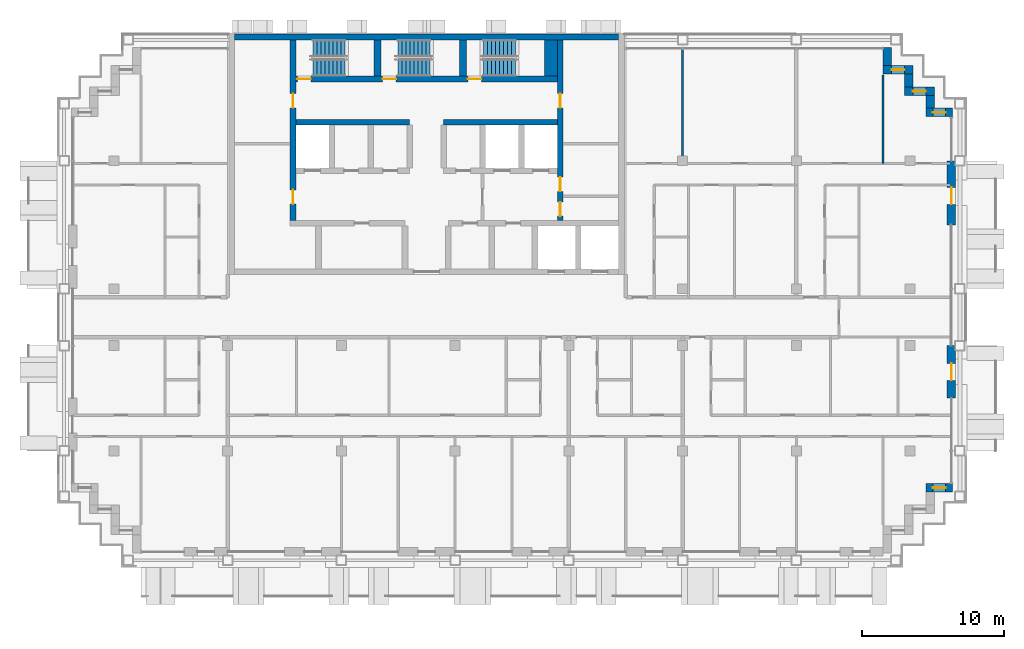
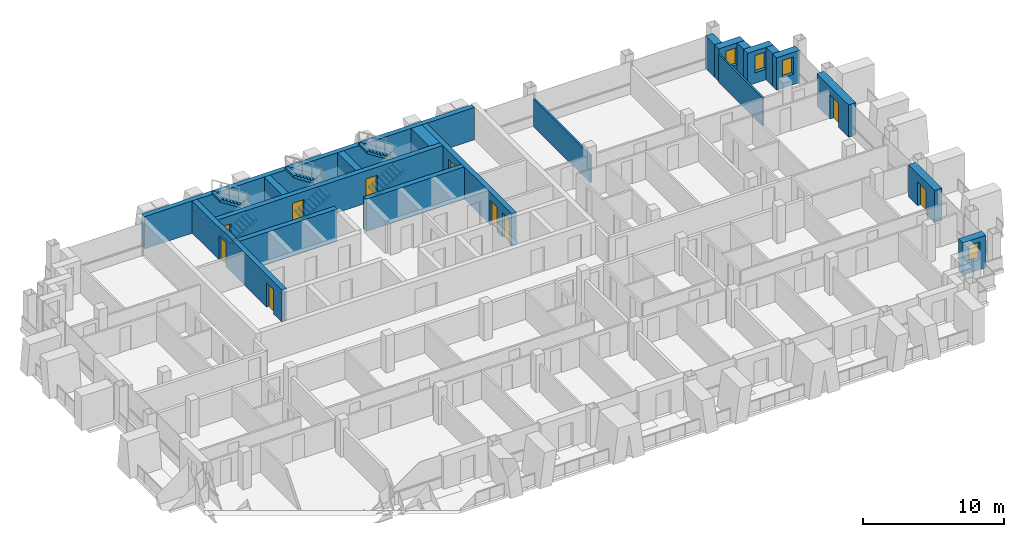
# One storey, part 12 of 16: 20 walls, 10 doors, 6 stair flights, 4 windows, 14 openings, 3 elements without a shape of their own.
"""IFC4 building model written with IfcOpenShell, lengths in metres."""

from ifc_helpers import new_model, si_unit, direction, frame, frame_2d, origin, place, context, subcontext, project, spatial, polyline, rectangle, outline, extrude, material, layer, layer_set, type_object, element, fill, aggregate, save


model = new_model("IFC4")

# Units and contexts
model_context = context("Model", 3, precision=1e-05, world=origin(), true_north=direction((0.0, 1.0)))
body_context = subcontext(model_context, "Body", "Model", "MODEL_VIEW")
ifc_project = project(units=[si_unit("LENGTHUNIT", "METRE"), si_unit("AREAUNIT", "SQUARE_METRE"), si_unit("VOLUMEUNIT", "CUBIC_METRE"), si_unit("PLANEANGLEUNIT", "RADIAN"), si_unit("MASSUNIT", "GRAM", prefix="KILO")], contexts=[model_context])

# Site, building, storey
site_placement = place(None, origin())
site = spatial("IfcSite", under=ifc_project, at=site_placement, CompositionType="ELEMENT")
building_placement = place(site_placement, origin())
building = spatial("IfcBuilding", under=site, at=building_placement, Name="Vidyagriha Tower", CompositionType="ELEMENT")
storey_placement = place(building_placement, frame((0.0, 0.0, 190.89990234375)))
storey = spatial("IfcBuildingStorey", under=building, at=storey_placement, Name="L50", CompositionType="ELEMENT", Elevation=190.89990234375)

# Wall, opening, window
ifc_material_1 = material(Name="Precast concrete C40/50 with brick facing", Category="concrete")
ifc_layer_1 = layer(ifc_material_1, 0.60009765625)
ifc_layer_set_1 = layer_set([ifc_layer_1], Name="Precast concrete C40/50 with brick facing")
wall_type_1 = type_object("IfcWallType", Name="Brick-faced precast wall 600", PredefinedType="STANDARD", material=ifc_layer_set_1)
wall_1_placement = place(storey_placement, frame((36.97998046875, 14.39990234375, 0.0), z_axis=(0.0, 0.0, 1.0), x_axis=(-1.0, 0.0, 0.0)))
wall_1 = element("IfcWall", 1, at=wall_1_placement, inside=storey, type_object=wall_type_1, Name="Stepped corner wall L50 R01", PredefinedType="STANDARD", context=body_context, shape_type="SweptSolid", body=[
    extrude(rectangle(XDim=1.8798828125, YDim=0.60009765625, at=frame_2d((0.93994140625, 0.0))), origin(), (0.0, 0.0, 1.0), 2.800048828125),
])
opening_1_placement = place(wall_1_placement, frame((0.489990234375, 0.0, 0.89990234375)))
opening_1 = element("IfcOpeningElement", 2, at=opening_1_placement, cuts=wall_1, Name="Opening WN1", PredefinedType="OPENING", context=body_context, shape_type="SweptSolid", body=[
    extrude(rectangle(XDim=0.89990234375, YDim=1.5, at=frame_2d((0.449951171875, 0.75))), frame((0.0, 0.31005859375, 0.0), z_axis=(0.0, -1.0, 0.0), x_axis=(1.0, 0.0, 0.0)), (0.0, 0.0, 1.0), 0.6201171875),
])
ifc_material_2 = material(Name="Aluminium and glass window", Category="aluminium")
window_type = type_object("IfcWindowType", Name="Reveal window 900x1500", PartitioningType="NOTDEFINED", PredefinedType="WINDOW", material=ifc_material_2)
window_1_placement = place(opening_1_placement, origin())
window_1 = element("IfcWindow", 3, at=window_1_placement, inside=storey, type_object=window_type, Name="Reveal window L50 R01", OverallHeight=1.5, OverallWidth=0.89990234375, PartitioningType="SINGLE_PANEL", PredefinedType="WINDOW", context=body_context, shape_type="SweptSolid", body=[
    extrude(rectangle(XDim=0.89990234375, YDim=1.5, at=frame_2d((0.449951171875, 0.75))), frame((0.0, 0.030029296875, 0.0), z_axis=(0.0, -1.0, 0.0), x_axis=(1.0, 0.0, 0.0)), (0.0, 0.0, 1.0), 0.06005859375),
])
fill(opening_1, window_1)

# Wall
wall_2_placement = place(storey_placement, frame((35.39990234375, 14.699951171875, 0.0), z_axis=(0.0, 0.0, 1.0), x_axis=(0.0, 1.0, 0.0)))
element("IfcWall", 4, at=wall_2_placement, inside=storey, type_object=wall_type_1, Name="Stepped corner wall L50 R02", PredefinedType="STANDARD", context=body_context, shape_type="SweptSolid", body=[
    extrude(rectangle(XDim=0.900146484375, YDim=0.60009765625, at=frame_2d((0.4501953125, 0.0))), origin(), (0.0, 0.0, 1.0), 2.800048828125),
])

# Wall, opening, window
wall_3_placement = place(storey_placement, frame((35.699951171875, 15.89990234375, 0.0), z_axis=(0.0, 0.0, 1.0), x_axis=(-1.0, 0.0, 0.0)))
wall_3 = element("IfcWall", 5, at=wall_3_placement, inside=storey, type_object=wall_type_1, Name="Stepped corner wall L50 R03", PredefinedType="STANDARD", context=body_context, shape_type="SweptSolid", body=[
    extrude(rectangle(XDim=2.099853515625, YDim=0.60009765625, at=frame_2d((1.0498046875, 0.0))), origin(), (0.0, 0.0, 1.0), 2.800048828125),
])
opening_2_placement = place(wall_3_placement, frame((0.60009765625, 0.0, 0.89990234375)))
opening_2 = element("IfcOpeningElement", 6, at=opening_2_placement, cuts=wall_3, Name="Opening WN1", PredefinedType="OPENING", context=body_context, shape_type="SweptSolid", body=[
    extrude(rectangle(XDim=0.89990234375, YDim=1.5, at=frame_2d((0.449951171875, 0.75))), frame((0.0, 0.31005859375, 0.0), z_axis=(0.0, -1.0, 0.0), x_axis=(1.0, 0.0, 0.0)), (0.0, 0.0, 1.0), 0.6201171875),
])
window_2_placement = place(opening_2_placement, origin())
window_2 = element("IfcWindow", 7, at=window_2_placement, inside=storey, type_object=window_type, Name="Reveal window L50 R03", OverallHeight=1.5, OverallWidth=0.89990234375, PartitioningType="SINGLE_PANEL", PredefinedType="WINDOW", context=body_context, shape_type="SweptSolid", body=[
    extrude(rectangle(XDim=0.89990234375, YDim=1.5, at=frame_2d((0.449951171875, 0.75))), frame((0.0, 0.030029296875, 0.0), z_axis=(0.0, -1.0, 0.0), x_axis=(1.0, 0.0, 0.0)), (0.0, 0.0, 1.0), 0.06005859375),
])
fill(opening_2, window_2)

# Wall
wall_4_placement = place(storey_placement, frame((33.89990234375, 16.199951171875, 0.0), z_axis=(0.0, 0.0, 1.0), x_axis=(0.0, 1.0, 0.0)))
element("IfcWall", 8, at=wall_4_placement, inside=storey, type_object=wall_type_1, Name="Stepped corner wall L50 R04", PredefinedType="STANDARD", context=body_context, shape_type="SweptSolid", body=[
    extrude(rectangle(XDim=0.900146484375, YDim=0.60009765625, at=frame_2d((0.4501953125, 0.0))), origin(), (0.0, 0.0, 1.0), 2.800048828125),
])

# Wall, opening, window
wall_5_placement = place(storey_placement, frame((34.199951171875, 17.39990234375, 0.0), z_axis=(0.0, 0.0, 1.0), x_axis=(-1.0, 0.0, 0.0)))
wall_5 = element("IfcWall", 9, at=wall_5_placement, inside=storey, type_object=wall_type_1, Name="Stepped corner wall L50 R05", PredefinedType="STANDARD", context=body_context, shape_type="SweptSolid", body=[
    extrude(rectangle(XDim=2.099853515625, YDim=0.60009765625, at=frame_2d((1.0498046875, 0.0))), origin(), (0.0, 0.0, 1.0), 2.800048828125),
])
opening_3_placement = place(wall_5_placement, frame((0.60009765625, 0.0, 0.89990234375)))
opening_3 = element("IfcOpeningElement", 10, at=opening_3_placement, cuts=wall_5, Name="Opening WN1", PredefinedType="OPENING", context=body_context, shape_type="SweptSolid", body=[
    extrude(rectangle(XDim=0.89990234375, YDim=1.5, at=frame_2d((0.449951171875, 0.75))), frame((0.0, 0.31005859375, 0.0), z_axis=(0.0, -1.0, 0.0), x_axis=(1.0, 0.0, 0.0)), (0.0, 0.0, 1.0), 0.6201171875),
])
window_3_placement = place(opening_3_placement, origin())
window_3 = element("IfcWindow", 11, at=window_3_placement, inside=storey, type_object=window_type, Name="Reveal window L50 R05", OverallHeight=1.5, OverallWidth=0.89990234375, PartitioningType="SINGLE_PANEL", PredefinedType="WINDOW", context=body_context, shape_type="SweptSolid", body=[
    extrude(rectangle(XDim=0.89990234375, YDim=1.5, at=frame_2d((0.449951171875, 0.75))), frame((0.0, 0.030029296875, 0.0), z_axis=(0.0, -1.0, 0.0), x_axis=(1.0, 0.0, 0.0)), (0.0, 0.0, 1.0), 0.06005859375),
])
fill(opening_3, window_3)

# Wall
wall_6_placement = place(storey_placement, frame((32.39990234375, 17.699951171875, 0.0), z_axis=(0.0, 0.0, 1.0), x_axis=(0.0, 1.0, 0.0)))
element("IfcWall", 12, at=wall_6_placement, inside=storey, type_object=wall_type_1, Name="Stepped corner wall L50 R06", PredefinedType="STANDARD", context=body_context, shape_type="SweptSolid", body=[
    extrude(rectangle(XDim=1.280029296875, YDim=0.60009765625, at=frame_2d((0.64013671875, 0.0))), origin(), (0.0, 0.0, 1.0), 2.800048828125),
])

# Wall, opening, window
wall_7_placement = place(storey_placement, frame((35.10009765625, -12.0, 0.0)))
wall_7 = element("IfcWall", 13, at=wall_7_placement, inside=storey, type_object=wall_type_1, Name="Stepped corner wall L50 R29", PredefinedType="STANDARD", context=body_context, shape_type="SweptSolid", body=[
    extrude(rectangle(XDim=1.8798828125, YDim=0.60009765625, at=frame_2d((0.93994140625, 0.0))), origin(), (0.0, 0.0, 1.0), 2.800048828125),
])
opening_4_placement = place(wall_7_placement, frame((0.489990234375, 0.0, 0.89990234375)))
opening_4 = element("IfcOpeningElement", 14, at=opening_4_placement, cuts=wall_7, Name="Opening WN1", PredefinedType="OPENING", context=body_context, shape_type="SweptSolid", body=[
    extrude(rectangle(XDim=0.89990234375, YDim=1.5, at=frame_2d((0.449951171875, 0.75))), frame((0.0, 0.31005859375, 0.0), z_axis=(0.0, -1.0, 0.0), x_axis=(1.0, 0.0, 0.0)), (0.0, 0.0, 1.0), 0.6201171875),
])
window_4_placement = place(opening_4_placement, origin())
window_4 = element("IfcWindow", 15, at=window_4_placement, inside=storey, type_object=window_type, Name="Reveal window L50 R29", OverallHeight=1.5, OverallWidth=0.89990234375, PartitioningType="SINGLE_PANEL", PredefinedType="WINDOW", context=body_context, shape_type="SweptSolid", body=[
    extrude(rectangle(XDim=0.89990234375, YDim=1.5, at=frame_2d((0.449951171875, 0.75))), frame((0.0, 0.030029296875, 0.0), z_axis=(0.0, -1.0, 0.0), x_axis=(1.0, 0.0, 0.0)), (0.0, 0.0, 1.0), 0.06005859375),
])
fill(opening_4, window_4)

# Wall, opening, door
wall_8_placement = place(storey_placement, frame((36.89990234375, -5.699951171875, 0.0), z_axis=(0.0, 0.0, 1.0), x_axis=(0.0, 1.0, 0.0)))
wall_8 = element("IfcWall", 16, at=wall_8_placement, inside=storey, type_object=wall_type_1, Name="Brick door bay wall L50 R30.3", PredefinedType="STANDARD", context=body_context, shape_type="SweptSolid", body=[
    extrude(rectangle(XDim=3.699951171875, YDim=0.60009765625, at=frame_2d((1.85009765625, 0.0))), origin(), (0.0, 0.0, 1.0), 2.800048828125),
])
opening_5_placement = place(wall_8_placement, frame((1.25, 0.0, 0.0)))
opening_5 = element("IfcOpeningElement", 17, at=opening_5_placement, cuts=wall_8, Name="Opening D50-79", PredefinedType="OPENING", context=body_context, shape_type="SweptSolid", body=[
    extrude(rectangle(XDim=1.199951171875, YDim=2.10009765625, at=frame_2d((0.60009765625, 1.050048828125))), frame((0.0, 0.31005859375, 0.0), z_axis=(0.0, -1.0, 0.0), x_axis=(1.0, 0.0, 0.0)), (0.0, 0.0, 1.0), 0.6201171875),
])
ifc_material_3 = material(Name="Aluminium framed glazed sliding door", Category="aluminium")
door_type_1 = type_object("IfcDoorType", Name="Balcony sliding door 1200x2100", OperationType="NOTDEFINED", PredefinedType="DOOR", material=ifc_material_3)
door_1_placement = place(opening_5_placement, origin())
door_1 = element("IfcDoor", 18, at=door_1_placement, inside=storey, type_object=door_type_1, Name="Door D50-79", OperationType="SLIDING_TO_LEFT", OverallHeight=2.10009765625, OverallWidth=1.199951171875, PredefinedType="DOOR", context=body_context, shape_type="SweptSolid", body=[
    extrude(rectangle(XDim=1.199951171875, YDim=2.10009765625, at=frame_2d((0.60009765625, 1.050048828125))), frame((0.0, 0.02490234375, 0.0), z_axis=(0.0, -1.0, 0.0), x_axis=(1.0, 0.0, 0.0)), (0.0, 0.0, 1.0), 0.050048828125),
])
fill(opening_5, door_1)

wall_9_placement = place(storey_placement, frame((36.89990234375, 6.5, 0.0), z_axis=(0.0, 0.0, 1.0), x_axis=(0.0, 1.0, 0.0)))
wall_9 = element("IfcWall", 19, at=wall_9_placement, inside=storey, type_object=wall_type_1, Name="Brick door bay wall L50 R30.6", PredefinedType="STANDARD", context=body_context, shape_type="SweptSolid", body=[
    extrude(rectangle(XDim=4.5, YDim=0.60009765625, at=frame_2d((2.25, 0.0))), origin(), (0.0, 0.0, 1.0), 2.800048828125),
])
opening_6_placement = place(wall_9_placement, frame((1.425048828125, 0.0, 0.0)))
opening_6 = element("IfcOpeningElement", 20, at=opening_6_placement, cuts=wall_9, Name="Opening D50-80", PredefinedType="OPENING", context=body_context, shape_type="SweptSolid", body=[
    extrude(rectangle(XDim=1.199951171875, YDim=2.10009765625, at=frame_2d((0.60009765625, 1.050048828125))), frame((0.0, 0.31005859375, 0.0), z_axis=(0.0, -1.0, 0.0), x_axis=(1.0, 0.0, 0.0)), (0.0, 0.0, 1.0), 0.6201171875),
])
door_2_placement = place(opening_6_placement, origin())
door_2 = element("IfcDoor", 21, at=door_2_placement, inside=storey, type_object=door_type_1, Name="Door D50-80", OperationType="SLIDING_TO_LEFT", OverallHeight=2.10009765625, OverallWidth=1.199951171875, PredefinedType="DOOR", context=body_context, shape_type="SweptSolid", body=[
    extrude(rectangle(XDim=1.199951171875, YDim=2.10009765625, at=frame_2d((0.60009765625, 1.050048828125))), frame((0.0, 0.02490234375, 0.0), z_axis=(0.0, -1.0, 0.0), x_axis=(1.0, 0.0, 0.0)), (0.0, 0.0, 1.0), 0.050048828125),
])
fill(opening_6, door_2)

# Wall
ifc_material_4 = material(Name="Concrete C60/75", Category="concrete")
ifc_layer_2 = layer(ifc_material_4, 0.39990234375)
ifc_layer_set_2 = layer_set([ifc_layer_2], Name="Concrete C60/75")
wall_type_2 = type_object("IfcWallType", Name="Core shear wall 400 mm", PredefinedType="SHEAR", material=ifc_layer_set_2)
wall_10_placement = place(storey_placement, frame((-13.5, 19.699951171875, 0.0)))
element("IfcWall", 22, at=wall_10_placement, inside=storey, type_object=wall_type_2, Name="Core north wall", PredefinedType="SHEAR", context=body_context, shape_type="SweptSolid", body=[
    extrude(rectangle(XDim=27.0, YDim=0.39990234375, at=frame_2d((13.5, 0.0))), origin(), (0.0, 0.0, 1.0), 2.800048828125),
])

# Wall, openings, doors
wall_11_placement = place(storey_placement, frame((-9.39990234375, 6.800048828125, 0.0), z_axis=(0.0, 0.0, 1.0), x_axis=(0.0, 1.0, 0.0)))
wall_11 = element("IfcWall", 23, at=wall_11_placement, inside=storey, type_object=wall_type_2, Name="Core west spine wall", PredefinedType="SHEAR", context=body_context, shape_type="SweptSolid", body=[
    extrude(rectangle(XDim=12.699951171875, YDim=0.39990234375, at=frame_2d((6.35009765625, 0.0))), origin(), (0.0, 0.0, 1.0), 2.800048828125),
])
opening_7_placement = place(wall_11_placement, frame((1.14990234375, 0.0, 0.0)))
opening_7 = element("IfcOpeningElement", 24, at=opening_7_placement, cuts=wall_11, Name="Opening D50-12", PredefinedType="OPENING", context=body_context, shape_type="SweptSolid", body=[
    extrude(rectangle(XDim=1.0, YDim=2.10009765625, at=frame_2d((0.5, 1.050048828125))), frame((0.0, 0.2099609375, 0.0), z_axis=(0.0, -1.0, 0.0), x_axis=(1.0, 0.0, 0.0)), (0.0, 0.0, 1.0), 0.419921875),
])
opening_8_placement = place(wall_11_placement, frame((7.925048828125, 0.0, 0.0)))
opening_8 = element("IfcOpeningElement", 25, at=opening_8_placement, cuts=wall_11, Name="Opening D50-13", PredefinedType="OPENING", context=body_context, shape_type="SweptSolid", body=[
    extrude(rectangle(XDim=1.0, YDim=2.10009765625, at=frame_2d((0.5, 1.050048828125))), frame((0.0, 0.2099609375, 0.0), z_axis=(0.0, -1.0, 0.0), x_axis=(1.0, 0.0, 0.0)), (0.0, 0.0, 1.0), 0.419921875),
])
ifc_material_5 = material(Name="Hollow metal door leaf")
door_type_2 = type_object("IfcDoorType", Name="Core room door 1000 x 2100 mm EI 60", OperationType="NOTDEFINED", PredefinedType="DOOR", material=ifc_material_5)
door_3_placement = place(opening_7_placement, frame((1.0, 0.0, 0.0), z_axis=(0.0, 0.0, 1.0), x_axis=(-1.0, 0.0, 0.0)))
door_3 = element("IfcDoor", 26, at=door_3_placement, inside=storey, type_object=door_type_2, Name="Door Switchgear Room 50.W1", OperationType="SINGLE_SWING_RIGHT", OverallHeight=2.10009765625, OverallWidth=1.0, PredefinedType="DOOR", context=body_context, shape_type="SweptSolid", body=[
    extrude(rectangle(XDim=1.0, YDim=2.10009765625, at=frame_2d((0.5, 1.050048828125))), frame((0.0, 0.02490234375, 0.0), z_axis=(0.0, -1.0, 0.0), x_axis=(1.0, 0.0, 0.0)), (0.0, 0.0, 1.0), 0.050048828125),
])
fill(opening_7, door_3)
door_4_placement = place(opening_8_placement, frame((1.0, 0.0, 0.0), z_axis=(0.0, 0.0, 1.0), x_axis=(-1.0, 0.0, 0.0)))
door_4 = element("IfcDoor", 27, at=door_4_placement, inside=storey, type_object=door_type_2, Name="Door Communications Room 50.W2", OperationType="SINGLE_SWING_LEFT", OverallHeight=2.10009765625, OverallWidth=1.0, PredefinedType="DOOR", context=body_context, shape_type="SweptSolid", body=[
    extrude(rectangle(XDim=1.0, YDim=2.10009765625, at=frame_2d((0.5, 1.050048828125))), frame((0.0, 0.02490234375, 0.0), z_axis=(0.0, -1.0, 0.0), x_axis=(1.0, 0.0, 0.0)), (0.0, 0.0, 1.0), 0.050048828125),
])
fill(opening_8, door_4)

wall_12_placement = place(storey_placement, frame((9.39990234375, 6.800048828125, 0.0), z_axis=(0.0, 0.0, 1.0), x_axis=(0.0, 1.0, 0.0)))
wall_12 = element("IfcWall", 28, at=wall_12_placement, inside=storey, type_object=wall_type_2, Name="Core east spine wall", PredefinedType="SHEAR", context=body_context, shape_type="SweptSolid", body=[
    extrude(rectangle(XDim=12.699951171875, YDim=0.39990234375, at=frame_2d((6.35009765625, 0.0))), origin(), (0.0, 0.0, 1.0), 2.800048828125),
])
opening_9_placement = place(wall_12_placement, frame((0.300048828125, 0.0, 0.0)))
opening_9 = element("IfcOpeningElement", 29, at=opening_9_placement, cuts=wall_12, Name="Opening D50-14", PredefinedType="OPENING", context=body_context, shape_type="SweptSolid", body=[
    extrude(rectangle(XDim=1.0, YDim=2.10009765625, at=frame_2d((0.5, 1.050048828125))), frame((0.0, 0.2099609375, 0.0), z_axis=(0.0, -1.0, 0.0), x_axis=(1.0, 0.0, 0.0)), (0.0, 0.0, 1.0), 0.419921875),
])
opening_10_placement = place(wall_12_placement, frame((2.050048828125, 0.0, 0.0)))
opening_10 = element("IfcOpeningElement", 30, at=opening_10_placement, cuts=wall_12, Name="Opening D50-15", PredefinedType="OPENING", context=body_context, shape_type="SweptSolid", body=[
    extrude(rectangle(XDim=1.0, YDim=2.10009765625, at=frame_2d((0.5, 1.050048828125))), frame((0.0, 0.2099609375, 0.0), z_axis=(0.0, -1.0, 0.0), x_axis=(1.0, 0.0, 0.0)), (0.0, 0.0, 1.0), 0.419921875),
])
opening_11_placement = place(wall_12_placement, frame((7.925048828125, 0.0, 0.0)))
opening_11 = element("IfcOpeningElement", 31, at=opening_11_placement, cuts=wall_12, Name="Opening D50-16", PredefinedType="OPENING", context=body_context, shape_type="SweptSolid", body=[
    extrude(rectangle(XDim=1.0, YDim=2.10009765625, at=frame_2d((0.5, 1.050048828125))), frame((0.0, 0.2099609375, 0.0), z_axis=(0.0, -1.0, 0.0), x_axis=(1.0, 0.0, 0.0)), (0.0, 0.0, 1.0), 0.419921875),
])
door_5_placement = place(opening_9_placement, origin())
door_5 = element("IfcDoor", 32, at=door_5_placement, inside=storey, type_object=door_type_2, Name="Door Electrical Room 50.E1", OperationType="SINGLE_SWING_RIGHT", OverallHeight=2.10009765625, OverallWidth=1.0, PredefinedType="DOOR", context=body_context, shape_type="SweptSolid", body=[
    extrude(rectangle(XDim=1.0, YDim=2.10009765625, at=frame_2d((0.5, 1.050048828125))), frame((0.0, 0.02490234375, 0.0), z_axis=(0.0, -1.0, 0.0), x_axis=(1.0, 0.0, 0.0)), (0.0, 0.0, 1.0), 0.050048828125),
])
fill(opening_9, door_5)
door_6_placement = place(opening_10_placement, origin())
door_6 = element("IfcDoor", 33, at=door_6_placement, inside=storey, type_object=door_type_2, Name="Door Refuse Room 50.E2", OperationType="SINGLE_SWING_LEFT", OverallHeight=2.10009765625, OverallWidth=1.0, PredefinedType="DOOR", context=body_context, shape_type="SweptSolid", body=[
    extrude(rectangle(XDim=1.0, YDim=2.10009765625, at=frame_2d((0.5, 1.050048828125))), frame((0.0, 0.02490234375, 0.0), z_axis=(0.0, -1.0, 0.0), x_axis=(1.0, 0.0, 0.0)), (0.0, 0.0, 1.0), 0.050048828125),
])
fill(opening_10, door_6)
door_7_placement = place(opening_11_placement, origin())
door_7 = element("IfcDoor", 34, at=door_7_placement, inside=storey, type_object=door_type_2, Name="Door Mechanical Riser Room 50.E3", OperationType="SINGLE_SWING_LEFT", OverallHeight=2.10009765625, OverallWidth=1.0, PredefinedType="DOOR", context=body_context, shape_type="SweptSolid", body=[
    extrude(rectangle(XDim=1.0, YDim=2.10009765625, at=frame_2d((0.5, 1.050048828125))), frame((0.0, 0.02490234375, 0.0), z_axis=(0.0, -1.0, 0.0), x_axis=(1.0, 0.0, 0.0)), (0.0, 0.0, 1.0), 0.050048828125),
])
fill(opening_11, door_7)

# Walls
for number, where, name in (
    (35, (-9.199951171875, 13.699951171875, 0.0), "Core row N rear wall"),
    (36, (1.199951171875, 13.699951171875, 0.0), "Core row N rear wall"),
):
    element("IfcWall", number, at=place(storey_placement, frame(where)), inside=storey, type_object=wall_type_2, Name=name, PredefinedType="SHEAR", context=body_context, shape_type="SweptSolid", body=[
        extrude(rectangle(XDim=8.0, YDim=0.39990234375, at=frame_2d((4.0, 0.0))), origin(), (0.0, 0.0, 1.0), 2.800048828125),
    ])

# Wall, openings, doors
wall_13_placement = place(storey_placement, frame((-9.199951171875, 16.75, 0.0)))
wall_13 = element("IfcWall", 37, at=wall_13_placement, inside=storey, type_object=wall_type_2, Name="Stair front wall", PredefinedType="SHEAR", context=body_context, shape_type="SweptSolid", body=[
    extrude(rectangle(XDim=18.39990234375, YDim=0.39990234375, at=frame_2d((9.199951171875, 0.0))), origin(), (0.0, 0.0, 1.0), 2.800048828125),
])
opening_12_placement = place(wall_13_placement, frame((0.10009765625, 0.0, 0.0)))
opening_12 = element("IfcOpeningElement", 38, at=opening_12_placement, cuts=wall_13, Name="Opening D50-09", PredefinedType="OPENING", context=body_context, shape_type="SweptSolid", body=[
    extrude(rectangle(XDim=0.949951171875, YDim=2.10009765625, at=frame_2d((0.47509765625, 1.050048828125))), frame((0.0, 0.2099609375, 0.0), z_axis=(0.0, -1.0, 0.0), x_axis=(1.0, 0.0, 0.0)), (0.0, 0.0, 1.0), 0.419921875),
])
opening_13_placement = place(wall_13_placement, frame((6.10009765625, 0.0, 0.0)))
opening_13 = element("IfcOpeningElement", 39, at=opening_13_placement, cuts=wall_13, Name="Opening D50-10", PredefinedType="OPENING", context=body_context, shape_type="SweptSolid", body=[
    extrude(rectangle(XDim=0.949951171875, YDim=2.10009765625, at=frame_2d((0.47509765625, 1.050048828125))), frame((0.0, 0.2099609375, 0.0), z_axis=(0.0, -1.0, 0.0), x_axis=(1.0, 0.0, 0.0)), (0.0, 0.0, 1.0), 0.419921875),
])
opening_14_placement = place(wall_13_placement, frame((12.10009765625, 0.0, 0.0)))
opening_14 = element("IfcOpeningElement", 40, at=opening_14_placement, cuts=wall_13, Name="Opening D50-11", PredefinedType="OPENING", context=body_context, shape_type="SweptSolid", body=[
    extrude(rectangle(XDim=0.949951171875, YDim=2.10009765625, at=frame_2d((0.47509765625, 1.050048828125))), frame((0.0, 0.2099609375, 0.0), z_axis=(0.0, -1.0, 0.0), x_axis=(1.0, 0.0, 0.0)), (0.0, 0.0, 1.0), 0.419921875),
])
ifc_material_6 = material(Name="Hollow metal door leaf")
door_type_3 = type_object("IfcDoorType", Name="Exit stair door 950 x 2100 mm EI 90", OperationType="NOTDEFINED", PredefinedType="DOOR", material=ifc_material_6)
door_8_placement = place(opening_12_placement, origin())
door_8 = element("IfcDoor", 41, at=door_8_placement, inside=storey, type_object=door_type_3, Name="Stair door ST1 L50", OperationType="SINGLE_SWING_LEFT", OverallHeight=2.10009765625, OverallWidth=0.949951171875, PredefinedType="DOOR", context=body_context, shape_type="SweptSolid", body=[
    extrude(rectangle(XDim=0.949951171875, YDim=2.10009765625, at=frame_2d((0.47509765625, 1.050048828125))), frame((0.0, 0.02490234375, 0.0), z_axis=(0.0, -1.0, 0.0), x_axis=(1.0, 0.0, 0.0)), (0.0, 0.0, 1.0), 0.050048828125),
])
fill(opening_12, door_8)
door_9_placement = place(opening_13_placement, origin())
door_9 = element("IfcDoor", 42, at=door_9_placement, inside=storey, type_object=door_type_3, Name="Stair door ST2 L50", OperationType="SINGLE_SWING_LEFT", OverallHeight=2.10009765625, OverallWidth=0.949951171875, PredefinedType="DOOR", context=body_context, shape_type="SweptSolid", body=[
    extrude(rectangle(XDim=0.949951171875, YDim=2.10009765625, at=frame_2d((0.47509765625, 1.050048828125))), frame((0.0, 0.02490234375, 0.0), z_axis=(0.0, -1.0, 0.0), x_axis=(1.0, 0.0, 0.0)), (0.0, 0.0, 1.0), 0.050048828125),
])
fill(opening_13, door_9)
door_10_placement = place(opening_14_placement, origin())
door_10 = element("IfcDoor", 43, at=door_10_placement, inside=storey, type_object=door_type_3, Name="Stair door ST3 L50", OperationType="SINGLE_SWING_LEFT", OverallHeight=2.10009765625, OverallWidth=0.949951171875, PredefinedType="DOOR", context=body_context, shape_type="SweptSolid", body=[
    extrude(rectangle(XDim=0.949951171875, YDim=2.10009765625, at=frame_2d((0.47509765625, 1.050048828125))), frame((0.0, 0.02490234375, 0.0), z_axis=(0.0, -1.0, 0.0), x_axis=(1.0, 0.0, 0.0)), (0.0, 0.0, 1.0), 0.050048828125),
])
fill(opening_14, door_10)

# Walls
ifc_material_7 = material(Name="Concrete C60/75", Category="concrete")
ifc_layer_3 = layer(ifc_material_7, 0.5)
ifc_layer_set_3 = layer_set([ifc_layer_3], Name="Concrete C60/75")
wall_type_3 = type_object("IfcWallType", Name="Core shear wall 500 mm", PredefinedType="SHEAR", material=ifc_layer_set_3)
for number, where, z_axis, x_axis, name in (
    (44, (-3.449951171875, 16.949951171875, 0.0), (0.0, 0.0, 1.0), (0.0, 1.0, 0.0), "Stair partition wall 1"),
    (45, (2.550048828125, 16.949951171875, 0.0), (0.0, 0.0, 1.0), (0.0, 1.0, 0.0), "Stair partition wall 2"),
):
    element("IfcWall", number, at=place(storey_placement, frame(where, z_axis=z_axis, x_axis=x_axis)), inside=storey, type_object=wall_type_3, Name=name, PredefinedType="SHEAR", context=body_context, shape_type="SweptSolid", body=[
        extrude(rectangle(XDim=2.550048828125, YDim=0.5, at=frame_2d((1.27490234375, 0.0))), origin(), (0.0, 0.0, 1.0), 2.800048828125),
    ])
ifc_material_8 = material(Name="Concrete C60/75", Category="concrete")
ifc_layer_4 = layer(ifc_material_8, 0.89990234375)
ifc_layer_set_4 = layer_set([ifc_layer_4], Name="Concrete C60/75")
wall_type_4 = type_object("IfcWallType", Name="Core shear wall 900 mm", PredefinedType="SHEAR", material=ifc_layer_set_4)
wall_14_placement = place(storey_placement, frame((8.75, 16.949951171875, 0.0), z_axis=(0.0, 0.0, 1.0), x_axis=(0.0, 1.0, 0.0)))
element("IfcWall", 46, at=wall_14_placement, inside=storey, type_object=wall_type_4, Name="Stair end wall", PredefinedType="SHEAR", context=body_context, shape_type="SweptSolid", body=[
    extrude(rectangle(XDim=2.550048828125, YDim=0.89990234375, at=frame_2d((1.27490234375, 0.0))), origin(), (0.0, 0.0, 1.0), 2.800048828125),
])
ifc_material_9 = material(Name="Gypsum board partition")
ifc_layer_5 = layer(ifc_material_9, 0.14990234375)
ifc_layer_set_5 = layer_set([ifc_layer_5], Name="Gypsum board partition")
wall_type_5 = type_object("IfcWallType", Name="Gypsum board partition 150", PredefinedType="PARTITIONING", material=ifc_layer_set_5)
wall_15_placement = place(storey_placement, frame((18.0, 18.821044921875, 0.0), z_axis=(0.0, 0.0, 1.0), x_axis=(0.0, -1.0, 0.0)))
element("IfcWall", 47, at=wall_15_placement, inside=storey, type_object=wall_type_5, Name="Wall all-L50-w098", PredefinedType="PARTITIONING", context=body_context, shape_type="SweptSolid", body=[
    extrude(rectangle(XDim=8.02099609375, YDim=0.14990234375, at=frame_2d((4.010498046875, 0.0))), origin(), (0.0, 0.0, 1.0), 2.400146484375),
])
wall_16_placement = place(storey_placement, frame((32.10009765625, 17.02001953125, 0.0), z_axis=(0.0, 0.0, 1.0), x_axis=(0.0, -1.0, 0.0)))
element("IfcWall", 48, at=wall_16_placement, inside=storey, type_object=wall_type_5, Name="Wall all-L50-w110", PredefinedType="PARTITIONING", context=body_context, shape_type="SweptSolid", body=[
    extrude(rectangle(XDim=6.219970703125, YDim=0.14990234375, at=frame_2d((3.10986328125, 0.0))), origin(), (0.0, 0.0, 1.0), 2.400146484375),
])

# Stair, stair flights
ifc_material_10 = material(Name="Concrete C40/50", Category="concrete")
stair_type = type_object("IfcStairType", Name="Exit stair, half-turn, precast flights", PredefinedType="HALF_TURN_STAIR", material=ifc_material_10)
stair_1_placement = place(storey_placement, origin())
stair_1 = element("IfcStair", 49, at=stair_1_placement, inside=storey, type_object=stair_type, Name="L50 Exit Stair ST1", PredefinedType="HALF_TURN_STAIR")
ifc_material_11 = material(Name="Precast concrete C40/50", Category="concrete")
stair_flight_type = type_object("IfcStairFlightType", Name="Exit stair flight 1200 mm, precast", PredefinedType="STRAIGHT", material=ifc_material_11)
stair_flight_1_placement = place(storey_placement, frame((-8.0, 17.550048828125, 0.0)))
stair_flight_1 = element("IfcStairFlight", 50, at=stair_flight_1_placement, type_object=stair_flight_type, Name="ST1 flight 1", NumberOfRisers=9, NumberOfTreads=8, PredefinedType="STRAIGHT", RiserHeight=0.177777778, TreadLength=0.28, context=body_context, shape_type="SweptSolid", body=[
    extrude(outline(polyline([(0.0, 0.0), (0.0, 0.177734375), (0.280029296875, 0.177734375), (0.280029296875, 0.35546875), (0.56005859375, 0.35546875), (0.56005859375, 0.533447265625), (0.840087890625, 0.533447265625), (0.840087890625, 0.711181640625), (1.1201171875, 0.711181640625), (1.1201171875, 0.888916015625), (1.39990234375, 0.888916015625), (1.39990234375, 1.066650390625), (1.679931640625, 1.066650390625), (1.679931640625, 1.244384765625), (1.9599609375, 1.244384765625), (1.9599609375, 1.422119140625), (2.239990234375, 1.422119140625), (2.239990234375, 1.60009765625), (2.239990234375, 1.24462890625), (0.27978515625, 0.0), (0.0, 0.0)])), frame((0.0, 0.60009765625, 0.0), z_axis=(0.0, -1.0, 0.0), x_axis=(1.0, 0.0, 0.0)), (0.0, 0.0, 1.0), 1.199951171875),
])
stair_flight_2_placement = place(storey_placement, frame((-5.760009765625, 18.89990234375, 1.60009765625), z_axis=(0.0, 0.0, 1.0), x_axis=(-1.0, 0.0, 0.0)))
stair_flight_2 = element("IfcStairFlight", 51, at=stair_flight_2_placement, type_object=stair_flight_type, Name="ST1 flight 2", NumberOfRisers=9, NumberOfTreads=8, PredefinedType="STRAIGHT", RiserHeight=0.177777778, TreadLength=0.28, context=body_context, shape_type="SweptSolid", body=[
    extrude(outline(polyline([(0.0, 0.0), (0.0, 0.177734375), (0.280029296875, 0.177734375), (0.280029296875, 0.35546875), (0.56005859375, 0.35546875), (0.56005859375, 0.533447265625), (0.840087890625, 0.533447265625), (0.840087890625, 0.711181640625), (1.1201171875, 0.711181640625), (1.1201171875, 0.888916015625), (1.39990234375, 0.888916015625), (1.39990234375, 1.066650390625), (1.679931640625, 1.066650390625), (1.679931640625, 1.244384765625), (1.9599609375, 1.244384765625), (1.9599609375, 1.422119140625), (2.239990234375, 1.422119140625), (2.239990234375, 1.60009765625), (2.239990234375, 1.24462890625), (0.27978515625, 0.0), (0.0, 0.0)])), frame((0.0, 0.60009765625, 0.0), z_axis=(0.0, -1.0, 0.0), x_axis=(1.0, 0.0, 0.0)), (0.0, 0.0, 1.0), 1.199951171875),
])
aggregate(stair_1, [stair_flight_1, stair_flight_2])

stair_2_placement = place(storey_placement, origin())
stair_2 = element("IfcStair", 52, at=stair_2_placement, inside=storey, type_object=stair_type, Name="L50 Exit Stair ST2", PredefinedType="HALF_TURN_STAIR")
stair_flight_3_placement = place(storey_placement, frame((-2.0, 17.550048828125, 0.0)))
stair_flight_3 = element("IfcStairFlight", 53, at=stair_flight_3_placement, type_object=stair_flight_type, Name="ST2 flight 1", NumberOfRisers=9, NumberOfTreads=8, PredefinedType="STRAIGHT", RiserHeight=0.177777778, TreadLength=0.28, context=body_context, shape_type="SweptSolid", body=[
    extrude(outline(polyline([(0.0, 0.0), (0.0, 0.177734375), (0.280029296875, 0.177734375), (0.280029296875, 0.35546875), (0.56005859375, 0.35546875), (0.56005859375, 0.533447265625), (0.840087890625, 0.533447265625), (0.840087890625, 0.711181640625), (1.1201171875, 0.711181640625), (1.1201171875, 0.888916015625), (1.39990234375, 0.888916015625), (1.39990234375, 1.066650390625), (1.679931640625, 1.066650390625), (1.679931640625, 1.244384765625), (1.9599609375, 1.244384765625), (1.9599609375, 1.422119140625), (2.239990234375, 1.422119140625), (2.239990234375, 1.60009765625), (2.239990234375, 1.24462890625), (0.27978515625, 0.0), (0.0, 0.0)])), frame((0.0, 0.60009765625, 0.0), z_axis=(0.0, -1.0, 0.0), x_axis=(1.0, 0.0, 0.0)), (0.0, 0.0, 1.0), 1.199951171875),
])
stair_flight_4_placement = place(storey_placement, frame((0.239990234375, 18.89990234375, 1.60009765625), z_axis=(0.0, 0.0, 1.0), x_axis=(-1.0, 0.0, 0.0)))
stair_flight_4 = element("IfcStairFlight", 54, at=stair_flight_4_placement, type_object=stair_flight_type, Name="ST2 flight 2", NumberOfRisers=9, NumberOfTreads=8, PredefinedType="STRAIGHT", RiserHeight=0.177777778, TreadLength=0.28, context=body_context, shape_type="SweptSolid", body=[
    extrude(outline(polyline([(0.0, 0.0), (0.0, 0.177734375), (0.280029296875, 0.177734375), (0.280029296875, 0.35546875), (0.56005859375, 0.35546875), (0.56005859375, 0.533447265625), (0.840087890625, 0.533447265625), (0.840087890625, 0.711181640625), (1.1201171875, 0.711181640625), (1.1201171875, 0.888916015625), (1.39990234375, 0.888916015625), (1.39990234375, 1.066650390625), (1.679931640625, 1.066650390625), (1.679931640625, 1.244384765625), (1.9599609375, 1.244384765625), (1.9599609375, 1.422119140625), (2.239990234375, 1.422119140625), (2.239990234375, 1.60009765625), (2.239990234375, 1.24462890625), (0.27978515625, 0.0), (0.0, 0.0)])), frame((0.0, 0.60009765625, 0.0), z_axis=(0.0, -1.0, 0.0), x_axis=(1.0, 0.0, 0.0)), (0.0, 0.0, 1.0), 1.199951171875),
])
aggregate(stair_2, [stair_flight_3, stair_flight_4])

stair_3_placement = place(storey_placement, origin())
stair_3 = element("IfcStair", 55, at=stair_3_placement, inside=storey, type_object=stair_type, Name="L50 Exit Stair ST3", PredefinedType="HALF_TURN_STAIR")
stair_flight_5_placement = place(storey_placement, frame((4.0, 17.550048828125, 0.0)))
stair_flight_5 = element("IfcStairFlight", 56, at=stair_flight_5_placement, type_object=stair_flight_type, Name="ST3 flight 1", NumberOfRisers=9, NumberOfTreads=8, PredefinedType="STRAIGHT", RiserHeight=0.177777778, TreadLength=0.28, context=body_context, shape_type="SweptSolid", body=[
    extrude(outline(polyline([(0.0, 0.0), (0.0, 0.177734375), (0.280029296875, 0.177734375), (0.280029296875, 0.35546875), (0.56005859375, 0.35546875), (0.56005859375, 0.533447265625), (0.840087890625, 0.533447265625), (0.840087890625, 0.711181640625), (1.1201171875, 0.711181640625), (1.1201171875, 0.888916015625), (1.39990234375, 0.888916015625), (1.39990234375, 1.066650390625), (1.679931640625, 1.066650390625), (1.679931640625, 1.244384765625), (1.9599609375, 1.244384765625), (1.9599609375, 1.422119140625), (2.239990234375, 1.422119140625), (2.239990234375, 1.60009765625), (2.239990234375, 1.24462890625), (0.27978515625, 0.0), (0.0, 0.0)])), frame((0.0, 0.60009765625, 0.0), z_axis=(0.0, -1.0, 0.0), x_axis=(1.0, 0.0, 0.0)), (0.0, 0.0, 1.0), 1.199951171875),
])
stair_flight_6_placement = place(storey_placement, frame((6.239990234375, 18.89990234375, 1.60009765625), z_axis=(0.0, 0.0, 1.0), x_axis=(-1.0, 0.0, 0.0)))
stair_flight_6 = element("IfcStairFlight", 57, at=stair_flight_6_placement, type_object=stair_flight_type, Name="ST3 flight 2", NumberOfRisers=9, NumberOfTreads=8, PredefinedType="STRAIGHT", RiserHeight=0.177777778, TreadLength=0.28, context=body_context, shape_type="SweptSolid", body=[
    extrude(outline(polyline([(0.0, 0.0), (0.0, 0.177734375), (0.280029296875, 0.177734375), (0.280029296875, 0.35546875), (0.56005859375, 0.35546875), (0.56005859375, 0.533447265625), (0.840087890625, 0.533447265625), (0.840087890625, 0.711181640625), (1.1201171875, 0.711181640625), (1.1201171875, 0.888916015625), (1.39990234375, 0.888916015625), (1.39990234375, 1.066650390625), (1.679931640625, 1.066650390625), (1.679931640625, 1.244384765625), (1.9599609375, 1.244384765625), (1.9599609375, 1.422119140625), (2.239990234375, 1.422119140625), (2.239990234375, 1.60009765625), (2.239990234375, 1.24462890625), (0.27978515625, 0.0), (0.0, 0.0)])), frame((0.0, 0.60009765625, 0.0), z_axis=(0.0, -1.0, 0.0), x_axis=(1.0, 0.0, 0.0)), (0.0, 0.0, 1.0), 1.199951171875),
])
aggregate(stair_3, [stair_flight_5, stair_flight_6])

save(model, "model.ifc")
